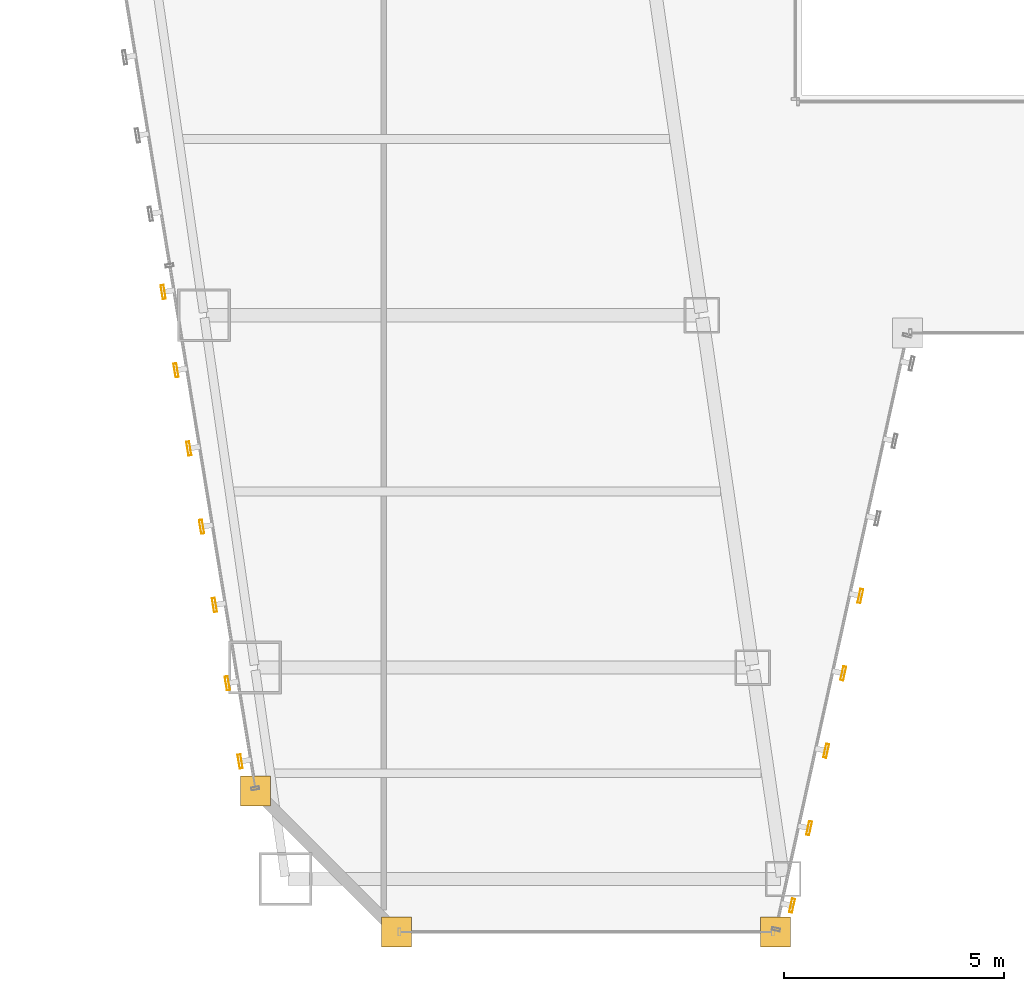
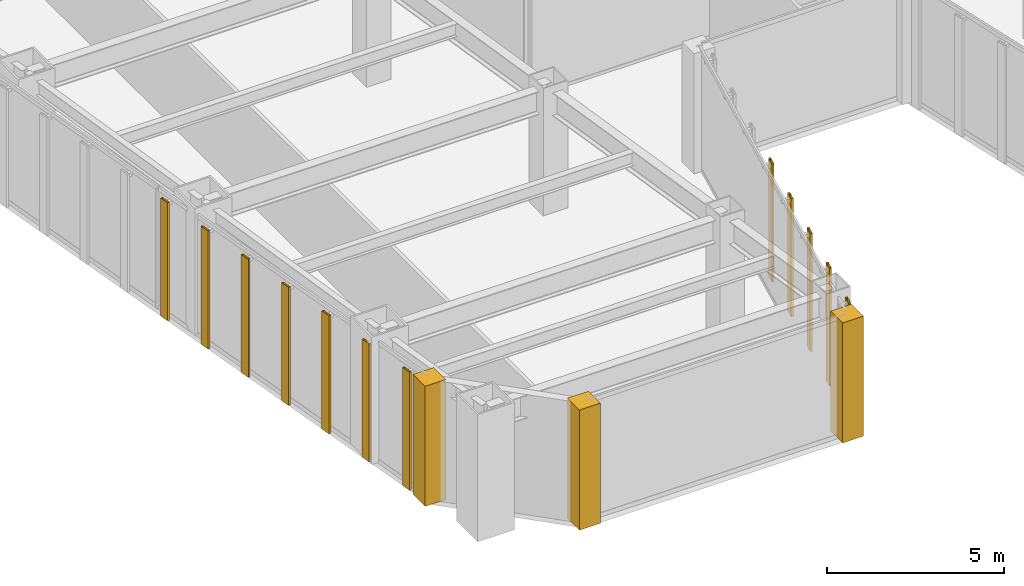
# One storey, part 41 of 47: 12 shading devices, 3 coverings.
"""IFC4 building model written with IfcOpenShell, lengths in metres."""

from ifc_helpers import new_model, si_unit, direction, frame, origin, origin_2d, place, context, subcontext, project, spatial, polyline, hollow_rectangle, outline, extrude, material, layer, layer_set, material_profile, profile_set, type_object, element, save


model = new_model("IFC4")

# Units and contexts
model_context = context("Model", 3, precision=1e-05, world=origin(), true_north=direction((0.0, 1.0)))
body_context = subcontext(model_context, "Body", "Model", "MODEL_VIEW")
ifc_project = project(units=[si_unit("LENGTHUNIT", "METRE"), si_unit("AREAUNIT", "SQUARE_METRE"), si_unit("VOLUMEUNIT", "CUBIC_METRE"), si_unit("PLANEANGLEUNIT", "RADIAN"), si_unit("MASSUNIT", "GRAM", prefix="KILO")], contexts=[model_context])

# Site, building, storey
site_placement = place(None, origin())
site = spatial("IfcSite", under=ifc_project, at=site_placement, CompositionType="ELEMENT")
building_placement = place(site_placement, origin())
building = spatial("IfcBuilding", under=site, at=building_placement, Name="Saevonmaru Cultural Tower", CompositionType="ELEMENT")
storey_placement = place(building_placement, frame((0.0, 0.0, 60.39990234375)))
storey = spatial("IfcBuildingStorey", under=building, at=storey_placement, Name="L12", CompositionType="ELEMENT", Elevation=60.39990234375)

# Coverings
ifc_material = material(Name="Satin Bronze Anodised Aluminium", Category="aluminium")
ifc_layer = layer(ifc_material, 0.679931640625, Name="Satin Bronze Anodised Aluminium")
ifc_layer_set = layer_set([ifc_layer], Name="Satin Bronze Anodised Aluminium")
covering_type = type_object("IfcCoveringType", Name="CV-CORNER-CLAD", PredefinedType="CLADDING", material=ifc_layer_set)
covering_1_placement = place(storey_placement, origin())
element("IfcCovering", 1, at=covering_1_placement, inside=storey, type_object=covering_type, Name="L12 Tower Bronze Corner Cladding Pier 1", PredefinedType="CLADDING", context=body_context, shape_type="SweptSolid", body=[
    extrude(outline(polyline([(11.4599609375, 4.860107421875), (12.139892578125, 4.860107421875), (12.139892578125, 5.5400390625), (11.4599609375, 5.5400390625), (11.4599609375, 4.860107421875)])), origin(), (0.0, 0.0, 1.0), 4.150146484375),
])
covering_2_placement = place(storey_placement, origin())
element("IfcCovering", 2, at=covering_2_placement, inside=storey, type_object=covering_type, Name="L12 Tower Bronze Corner Cladding Pier 2", PredefinedType="CLADDING", context=body_context, shape_type="SweptSolid", body=[
    extrude(outline(polyline([(14.659912109375, 1.659912109375), (15.340087890625, 1.659912109375), (15.340087890625, 2.340087890625), (14.659912109375, 2.340087890625), (14.659912109375, 1.659912109375)])), origin(), (0.0, 0.0, 1.0), 4.150146484375),
])
covering_3_placement = place(storey_placement, origin())
element("IfcCovering", 3, at=covering_3_placement, inside=storey, type_object=covering_type, Name="L12 Tower Bronze Corner Cladding Pier 3", PredefinedType="CLADDING", context=body_context, shape_type="SweptSolid", body=[
    extrude(outline(polyline([(23.260009765625, 1.659912109375), (23.93994140625, 1.659912109375), (23.93994140625, 2.340087890625), (23.260009765625, 2.340087890625), (23.260009765625, 1.659912109375)])), origin(), (0.0, 0.0, 1.0), 4.150146484375),
])

# Shading devices
ifc_material_profile = material_profile(ifc_material, hollow_rectangle(XDim=0.070068359375, YDim=0.320068359375, WallThickness=0.0048828125, at=origin_2d()), Name="FIN-320x70")
ifc_profile_set = profile_set([ifc_material_profile], Name="Satin Bronze Anodised Aluminium")
shading_device_type = type_object("IfcShadingDeviceType", Name="SHD-FIN-320", PredefinedType="JALOUSIE", material=ifc_profile_set)
for number, where, z_axis, x_axis, name in (
    (4, (23.977294921875, 2.59619140625, 0.050048828125), (0.0, 0.0, 1.0), (0.976522126798, -0.215417120661, 0.0), "L12 Art Deco Sawtooth Bronze Fin E3-01"),
    (5, (24.364990234375, 4.35400390625, 0.050048828125), (0.0, 0.0, 1.0), (0.976522126798, -0.215417120661, 0.0), "L12 Art Deco Sawtooth Bronze Fin E3-02"),
    (6, (24.752685546875, 6.11181640625, 0.050048828125), (0.0, 0.0, 1.0), (0.976522126798, -0.215417120661, 0.0), "L12 Art Deco Sawtooth Bronze Fin E3-03"),
    (7, (25.140380859375, 7.869384765625, 0.050048828125), (0.0, 0.0, 1.0), (0.976522126798, -0.215417120661, 0.0), "L12 Art Deco Sawtooth Bronze Fin E3-04"),
    (8, (25.5283203125, 9.627197265625, 0.050048828125), (0.0, 0.0, 1.0), (0.976522126798, -0.215417120661, 0.0), "L12 Art Deco Sawtooth Bronze Fin E3-05"),
    (9, (9.70068359375, 16.527099609375, 0.050048828125), (0.0, 0.0, 1.0), (-0.986827496189, -0.161776057456, 0.0), "L12 Art Deco Sawtooth Bronze Fin E12-21"),
    (10, (9.99169921875, 14.750732421875, 0.050048828125), (0.0, 0.0, 1.0), (-0.986827496189, -0.161776057456, 0.0), "L12 Art Deco Sawtooth Bronze Fin E12-22"),
    (11, (10.28271484375, 12.974365234375, 0.050048828125), (0.0, 0.0, 1.0), (-0.986827496189, -0.161776057456, 0.0), "L12 Art Deco Sawtooth Bronze Fin E12-23"),
    (12, (10.573974609375, 11.197998046875, 0.050048828125), (0.0, 0.0, 1.0), (-0.986827496189, -0.161776057456, 0.0), "L12 Art Deco Sawtooth Bronze Fin E12-24"),
    (13, (10.864990234375, 9.421875, 0.050048828125), (0.0, 0.0, 1.0), (-0.986827496189, -0.161776057456, 0.0), "L12 Art Deco Sawtooth Bronze Fin E12-25"),
    (14, (11.156005859375, 7.6455078125, 0.050048828125), (0.0, 0.0, 1.0), (-0.986827496189, -0.161776057456, 0.0), "L12 Art Deco Sawtooth Bronze Fin E12-26"),
    (15, (11.447021484375, 5.869140625, 0.050048828125), (0.0, 0.0, 1.0), (-0.986827496189, -0.161776057456, 0.0), "L12 Art Deco Sawtooth Bronze Fin E12-27"),
):
    element("IfcShadingDevice", number, at=place(storey_placement, frame(where, z_axis=z_axis, x_axis=x_axis)), inside=storey, type_object=shading_device_type, Name=name, PredefinedType="JALOUSIE", context=body_context, shape_type="SweptSolid", body=[
        extrude(hollow_rectangle(XDim=0.070068359375, YDim=0.320068359375, WallThickness=0.0048828125, at=origin_2d()), origin(), (0.0, 0.0, 1.0), 4.080078125),
    ])

save(model, "model.ifc")
